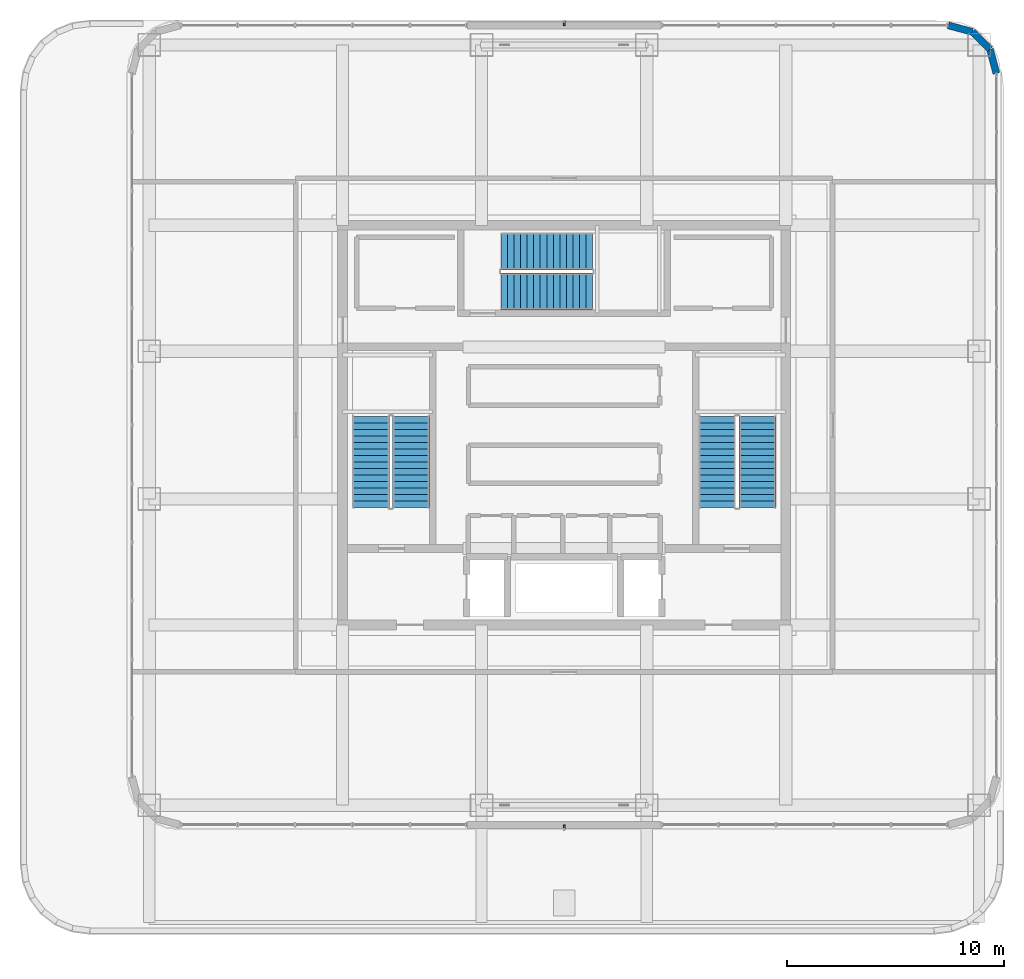
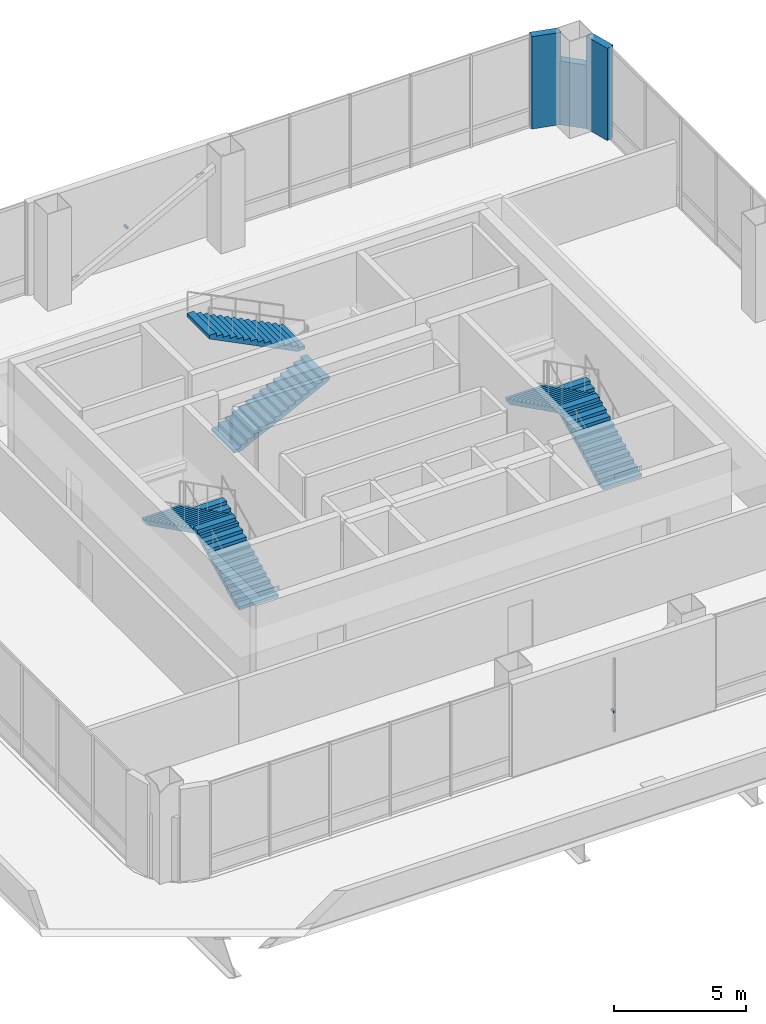
# One storey, part 30 of 33: 6 stair flights, 3 walls, 2 discrete accessories, 3 elements without a shape of their own.
"""IFC4 building model written with IfcOpenShell, lengths in metres."""

from ifc_helpers import new_model, si_unit, direction, frame, frame_2d, origin, origin_2d, place, context, subcontext, project, spatial, polyline, rectangle, outline, extrude, material, layer, layer_set, type_object, element, aggregate, save


model = new_model("IFC4")

# Units and contexts
model_context = context("Model", 3, precision=1e-05, world=origin(), true_north=direction((0.0, 1.0)))
body_context = subcontext(model_context, "Body", "Model", "MODEL_VIEW")
ifc_project = project(units=[si_unit("LENGTHUNIT", "METRE"), si_unit("AREAUNIT", "SQUARE_METRE"), si_unit("VOLUMEUNIT", "CUBIC_METRE"), si_unit("PLANEANGLEUNIT", "RADIAN"), si_unit("MASSUNIT", "GRAM", prefix="KILO")], contexts=[model_context])

# Site, building, storey
site_placement = place(None, origin())
site = spatial("IfcSite", under=ifc_project, at=site_placement, CompositionType="ELEMENT")
building_placement = place(site_placement, origin())
building = spatial("IfcBuilding", under=site, at=building_placement, Name="Punatoya Terracotta Tower", CompositionType="ELEMENT")
storey_placement = place(building_placement, frame((0.0, 0.0, 343.800048828125)))
storey = spatial("IfcBuildingStorey", under=building, at=storey_placement, Name="L81", CompositionType="ELEMENT", Elevation=343.800048828125)

# Walls
ifc_material_1 = material(Name="Precast concrete C40/50", Category="concrete")
ifc_layer = layer(ifc_material_1, 0.320068359375)
ifc_layer_set = layer_set([ifc_layer], Name="Precast concrete C40/50")
wall_type = type_object("IfcWallType", Name="WL-EXT-320", PredefinedType="SOLIDWALL", material=ifc_layer_set)
wall_1_placement = place(storey_placement, frame((19.89990234375, 16.18701171875, 0.0), z_axis=(0.0, 0.0, 1.0), x_axis=(-0.257332533551, 0.966322910406, 0.0)))
element("IfcWall", 1, at=wall_1_placement, inside=storey, type_object=wall_type, Name="L81 Rounded Terracotta Corner Pier 06", PredefinedType="SOLIDWALL", context=body_context, shape_type="SweptSolid", body=[
    extrude(rectangle(XDim=1.15087890625, YDim=0.320068359375, at=frame_2d((0.575439453125, 0.0))), origin(), (0.0, 0.0, 1.0), 4.280029296875),
])
wall_2_placement = place(storey_placement, frame((19.603759765625, 17.299072265625, 0.0), z_axis=(0.0, 0.0, 1.0), x_axis=(-0.707106781187, 0.707106781187, 0.0)))
element("IfcWall", 2, at=wall_2_placement, inside=storey, type_object=wall_type, Name="L81 Rounded Terracotta Corner Pier 07", PredefinedType="SOLIDWALL", context=body_context, shape_type="SweptSolid", body=[
    extrude(rectangle(XDim=1.137939453125, YDim=0.320068359375, at=frame_2d((0.56884765625, 0.0))), origin(), (0.0, 0.0, 1.0), 2.953857421875),
])
wall_3_placement = place(storey_placement, frame((18.799072265625, 18.103759765625, 0.0), z_axis=(0.0, 0.0, 1.0), x_axis=(-0.966322910406, 0.257332533551, 0.0)))
element("IfcWall", 3, at=wall_3_placement, inside=storey, type_object=wall_type, Name="L81 Rounded Terracotta Corner Pier 08", PredefinedType="SOLIDWALL", context=body_context, shape_type="SweptSolid", body=[
    extrude(rectangle(XDim=1.15087890625, YDim=0.320068359375, at=frame_2d((0.575439453125, 0.0))), origin(), (0.0, 0.0, 1.0), 4.280029296875),
])

# Stair, stair flights
ifc_material_2 = material(Name="Concrete C40/50", Category="concrete")
stair_type_1 = type_object("IfcStairType", Name="STR-CORE-1550", PredefinedType="HALF_TURN_STAIR", material=ifc_material_2)
stair_1_placement = place(storey_placement, origin())
stair_1 = element("IfcStair", 4, at=stair_1_placement, inside=storey, type_object=stair_type_1, Name="L81 Protected Core Exit Stair ST-1", PredefinedType="HALF_TURN_STAIR")
stair_flight_type_1 = type_object("IfcStairFlightType", Name="SFL-CORE-1550", PredefinedType="STRAIGHT", material=ifc_material_2)
stair_flight_1_placement = place(storey_placement, frame((-7.050048828125, -3.800048828125, 0.0), z_axis=(0.0, 0.0, 1.0), x_axis=(0.0, 1.0, 0.0)))
stair_flight_1 = element("IfcStairFlight", 5, at=stair_flight_1_placement, type_object=stair_flight_type_1, Name="ST-1 flight 1", NumberOfRisers=15, NumberOfTreads=14, PredefinedType="STRAIGHT", RiserHeight=0.15, TreadLength=0.3, context=body_context, shape_type="SweptSolid", body=[
    extrude(outline(polyline([(0.0, 0.0), (0.0, 0.14990234375), (0.300048828125, 0.14990234375), (0.300048828125, 0.300048828125), (0.60009765625, 0.300048828125), (0.60009765625, 0.449951171875), (0.89990234375, 0.449951171875), (0.89990234375, 0.60009765625), (1.199951171875, 0.60009765625), (1.199951171875, 0.75), (1.5, 0.75), (1.5, 0.89990234375), (1.800048828125, 0.89990234375), (1.800048828125, 1.050048828125), (2.10009765625, 1.050048828125), (2.10009765625, 1.199951171875), (2.39990234375, 1.199951171875), (2.39990234375, 1.35009765625), (2.699951171875, 1.35009765625), (2.699951171875, 1.5), (3.0, 1.5), (3.0, 1.64990234375), (3.300048828125, 1.64990234375), (3.300048828125, 1.800048828125), (3.60009765625, 1.800048828125), (3.60009765625, 1.949951171875), (3.89990234375, 1.949951171875), (3.89990234375, 2.10009765625), (4.199951171875, 2.10009765625), (4.199951171875, 2.25), (4.199951171875, 1.932373046875), (0.335205078125, 0.0), (0.0, 0.0)])), frame((0.0, 0.85009765625, 0.0), z_axis=(0.0, -1.0, 0.0), x_axis=(1.0, 0.0, 0.0)), (0.0, 0.0, 1.0), 1.699951171875),
])
stair_flight_2_placement = place(storey_placement, frame((-8.89990234375, 0.39990234375, 2.25), z_axis=(0.0, 0.0, 1.0), x_axis=(0.0, -1.0, 0.0)))
stair_flight_2 = element("IfcStairFlight", 6, at=stair_flight_2_placement, type_object=stair_flight_type_1, Name="ST-1 flight 2", NumberOfRisers=15, NumberOfTreads=14, PredefinedType="STRAIGHT", RiserHeight=0.15, TreadLength=0.3, context=body_context, shape_type="SweptSolid", body=[
    extrude(outline(polyline([(0.0, 0.0), (0.0, 0.14990234375), (0.300048828125, 0.14990234375), (0.300048828125, 0.300048828125), (0.60009765625, 0.300048828125), (0.60009765625, 0.449951171875), (0.89990234375, 0.449951171875), (0.89990234375, 0.60009765625), (1.199951171875, 0.60009765625), (1.199951171875, 0.75), (1.5, 0.75), (1.5, 0.89990234375), (1.800048828125, 0.89990234375), (1.800048828125, 1.050048828125), (2.10009765625, 1.050048828125), (2.10009765625, 1.199951171875), (2.39990234375, 1.199951171875), (2.39990234375, 1.35009765625), (2.699951171875, 1.35009765625), (2.699951171875, 1.5), (3.0, 1.5), (3.0, 1.64990234375), (3.300048828125, 1.64990234375), (3.300048828125, 1.800048828125), (3.60009765625, 1.800048828125), (3.60009765625, 1.949951171875), (3.89990234375, 1.949951171875), (3.89990234375, 2.10009765625), (4.199951171875, 2.10009765625), (4.199951171875, 2.25), (4.199951171875, 1.932373046875), (0.335205078125, 0.0), (0.0, 0.0)])), frame((0.0, 0.85009765625, 0.0), z_axis=(0.0, -1.0, 0.0), x_axis=(1.0, 0.0, 0.0)), (0.0, 0.0, 1.0), 1.699951171875),
])
aggregate(stair_1, [stair_flight_1, stair_flight_2])

stair_type_2 = type_object("IfcStairType", Name="STR-LOB-1650", PredefinedType="HALF_TURN_STAIR", material=ifc_material_2)
stair_2_placement = place(storey_placement, origin())
stair_2 = element("IfcStair", 7, at=stair_2_placement, inside=storey, type_object=stair_type_2, Name="L81 Protected Core Exit Stair ST-2", PredefinedType="HALF_TURN_STAIR")
stair_flight_type_2 = type_object("IfcStairFlightType", Name="SFL-LOB-1650", PredefinedType="STRAIGHT", material=ifc_material_2)
stair_flight_3_placement = place(storey_placement, frame((8.89990234375, -3.800048828125, 0.0), z_axis=(0.0, 0.0, 1.0), x_axis=(0.0, 1.0, 0.0)))
stair_flight_3 = element("IfcStairFlight", 8, at=stair_flight_3_placement, type_object=stair_flight_type_2, Name="ST-2 flight 1", NumberOfRisers=15, NumberOfTreads=14, PredefinedType="STRAIGHT", RiserHeight=0.15, TreadLength=0.3, context=body_context, shape_type="SweptSolid", body=[
    extrude(outline(polyline([(0.0, 0.0), (0.0, 0.14990234375), (0.300048828125, 0.14990234375), (0.300048828125, 0.300048828125), (0.60009765625, 0.300048828125), (0.60009765625, 0.449951171875), (0.89990234375, 0.449951171875), (0.89990234375, 0.60009765625), (1.199951171875, 0.60009765625), (1.199951171875, 0.75), (1.5, 0.75), (1.5, 0.89990234375), (1.800048828125, 0.89990234375), (1.800048828125, 1.050048828125), (2.10009765625, 1.050048828125), (2.10009765625, 1.199951171875), (2.39990234375, 1.199951171875), (2.39990234375, 1.35009765625), (2.699951171875, 1.35009765625), (2.699951171875, 1.5), (3.0, 1.5), (3.0, 1.64990234375), (3.300048828125, 1.64990234375), (3.300048828125, 1.800048828125), (3.60009765625, 1.800048828125), (3.60009765625, 1.949951171875), (3.89990234375, 1.949951171875), (3.89990234375, 2.10009765625), (4.199951171875, 2.10009765625), (4.199951171875, 2.25), (4.199951171875, 1.932373046875), (0.335205078125, 0.0), (0.0, 0.0)])), frame((0.0, 0.85009765625, 0.0), z_axis=(0.0, -1.0, 0.0), x_axis=(1.0, 0.0, 0.0)), (0.0, 0.0, 1.0), 1.699951171875),
])
stair_flight_4_placement = place(storey_placement, frame((7.050048828125, 0.39990234375, 2.25), z_axis=(0.0, 0.0, 1.0), x_axis=(0.0, -1.0, 0.0)))
stair_flight_4 = element("IfcStairFlight", 9, at=stair_flight_4_placement, type_object=stair_flight_type_2, Name="ST-2 flight 2", NumberOfRisers=15, NumberOfTreads=14, PredefinedType="STRAIGHT", RiserHeight=0.15, TreadLength=0.3, context=body_context, shape_type="SweptSolid", body=[
    extrude(outline(polyline([(0.0, 0.0), (0.0, 0.14990234375), (0.300048828125, 0.14990234375), (0.300048828125, 0.300048828125), (0.60009765625, 0.300048828125), (0.60009765625, 0.449951171875), (0.89990234375, 0.449951171875), (0.89990234375, 0.60009765625), (1.199951171875, 0.60009765625), (1.199951171875, 0.75), (1.5, 0.75), (1.5, 0.89990234375), (1.800048828125, 0.89990234375), (1.800048828125, 1.050048828125), (2.10009765625, 1.050048828125), (2.10009765625, 1.199951171875), (2.39990234375, 1.199951171875), (2.39990234375, 1.35009765625), (2.699951171875, 1.35009765625), (2.699951171875, 1.5), (3.0, 1.5), (3.0, 1.64990234375), (3.300048828125, 1.64990234375), (3.300048828125, 1.800048828125), (3.60009765625, 1.800048828125), (3.60009765625, 1.949951171875), (3.89990234375, 1.949951171875), (3.89990234375, 2.10009765625), (4.199951171875, 2.10009765625), (4.199951171875, 2.25), (4.199951171875, 1.932373046875), (0.335205078125, 0.0), (0.0, 0.0)])), frame((0.0, 0.85009765625, 0.0), z_axis=(0.0, -1.0, 0.0), x_axis=(1.0, 0.0, 0.0)), (0.0, 0.0, 1.0), 1.699951171875),
])
aggregate(stair_2, [stair_flight_3, stair_flight_4])

stair_type_3 = type_object("IfcStairType", Name="STR-TER-1450", PredefinedType="HALF_TURN_STAIR", material=ifc_material_2)
stair_3_placement = place(storey_placement, origin())
stair_3 = element("IfcStair", 10, at=stair_3_placement, inside=storey, type_object=stair_type_3, Name="L81 Protected Core Exit Stair ST-3", PredefinedType="HALF_TURN_STAIR")
stair_flight_type_3 = type_object("IfcStairFlightType", Name="SFL-TER-1450", PredefinedType="STRAIGHT", material=ifc_material_2)
stair_flight_5_placement = place(storey_placement, frame((-2.89990234375, 6.14990234375, 0.0), z_axis=(0.0, 0.0, 1.0), x_axis=(1.0, 0.0, 0.0)))
stair_flight_5 = element("IfcStairFlight", 11, at=stair_flight_5_placement, type_object=stair_flight_type_3, Name="ST-3 flight 1", NumberOfRisers=15, NumberOfTreads=14, PredefinedType="STRAIGHT", RiserHeight=0.15, TreadLength=0.3, context=body_context, shape_type="SweptSolid", body=[
    extrude(outline(polyline([(0.0, 0.0), (0.0, 0.14990234375), (0.300048828125, 0.14990234375), (0.300048828125, 0.300048828125), (0.60009765625, 0.300048828125), (0.60009765625, 0.449951171875), (0.89990234375, 0.449951171875), (0.89990234375, 0.60009765625), (1.199951171875, 0.60009765625), (1.199951171875, 0.75), (1.5, 0.75), (1.5, 0.89990234375), (1.800048828125, 0.89990234375), (1.800048828125, 1.050048828125), (2.10009765625, 1.050048828125), (2.10009765625, 1.199951171875), (2.39990234375, 1.199951171875), (2.39990234375, 1.35009765625), (2.699951171875, 1.35009765625), (2.699951171875, 1.5), (3.0, 1.5), (3.0, 1.64990234375), (3.300048828125, 1.64990234375), (3.300048828125, 1.800048828125), (3.60009765625, 1.800048828125), (3.60009765625, 1.949951171875), (3.89990234375, 1.949951171875), (3.89990234375, 2.10009765625), (4.199951171875, 2.10009765625), (4.199951171875, 2.25), (4.199951171875, 1.932373046875), (0.335205078125, 0.0), (0.0, 0.0)])), frame((0.0, 0.85009765625, 0.0), z_axis=(0.0, -1.0, 0.0), x_axis=(1.0, 0.0, 0.0)), (0.0, 0.0, 1.0), 1.699951171875),
])
stair_flight_6_placement = place(storey_placement, frame((1.300048828125, 8.0, 2.25), z_axis=(0.0, 0.0, 1.0), x_axis=(-1.0, 0.0, 0.0)))
stair_flight_6 = element("IfcStairFlight", 12, at=stair_flight_6_placement, type_object=stair_flight_type_3, Name="ST-3 flight 2", NumberOfRisers=15, NumberOfTreads=14, PredefinedType="STRAIGHT", RiserHeight=0.15, TreadLength=0.3, context=body_context, shape_type="SweptSolid", body=[
    extrude(outline(polyline([(0.0, 0.0), (0.0, 0.14990234375), (0.300048828125, 0.14990234375), (0.300048828125, 0.300048828125), (0.60009765625, 0.300048828125), (0.60009765625, 0.449951171875), (0.89990234375, 0.449951171875), (0.89990234375, 0.60009765625), (1.199951171875, 0.60009765625), (1.199951171875, 0.75), (1.5, 0.75), (1.5, 0.89990234375), (1.800048828125, 0.89990234375), (1.800048828125, 1.050048828125), (2.10009765625, 1.050048828125), (2.10009765625, 1.199951171875), (2.39990234375, 1.199951171875), (2.39990234375, 1.35009765625), (2.699951171875, 1.35009765625), (2.699951171875, 1.5), (3.0, 1.5), (3.0, 1.64990234375), (3.300048828125, 1.64990234375), (3.300048828125, 1.800048828125), (3.60009765625, 1.800048828125), (3.60009765625, 1.949951171875), (3.89990234375, 1.949951171875), (3.89990234375, 2.10009765625), (4.199951171875, 2.10009765625), (4.199951171875, 2.25), (4.199951171875, 1.932373046875), (0.335205078125, 0.0), (0.0, 0.0)])), frame((0.0, 0.85009765625, 0.0), z_axis=(0.0, -1.0, 0.0), x_axis=(1.0, 0.0, 0.0)), (0.0, 0.0, 1.0), 1.699951171875),
])
aggregate(stair_3, [stair_flight_5, stair_flight_6])

# Discrete accessories
ifc_material_3 = material(Name="Steel S355", Category="steel")
discrete_accessory_type = type_object("IfcDiscreteAccessoryType", Name="ACC-BRK-220", PredefinedType="BRACKET", material=ifc_material_3)
for number, where, z_axis, x_axis, name in (
    (13, (0.0, -18.5, 1.449951171875), (0.0, 0.0, 1.0), (1.0, 0.0, 0.0), "L81 Jali Fin Support Bracket S1"),
    (14, (0.0, 18.5, 1.449951171875), (0.0, 0.0, 1.0), (-1.0, 0.0, 0.0), "L81 Jali Fin Support Bracket N1"),
):
    element("IfcDiscreteAccessory", number, at=place(storey_placement, frame(where, z_axis=z_axis, x_axis=x_axis)), inside=storey, type_object=discrete_accessory_type, Name=name, PredefinedType="BRACKET", context=body_context, shape_type="SweptSolid", body=[
        extrude(rectangle(XDim=0.090087890625, YDim=0.219970703125, at=origin_2d()), origin(), (0.0, 0.0, 1.0), 0.10009765625),
    ])

save(model, "model.ifc")
